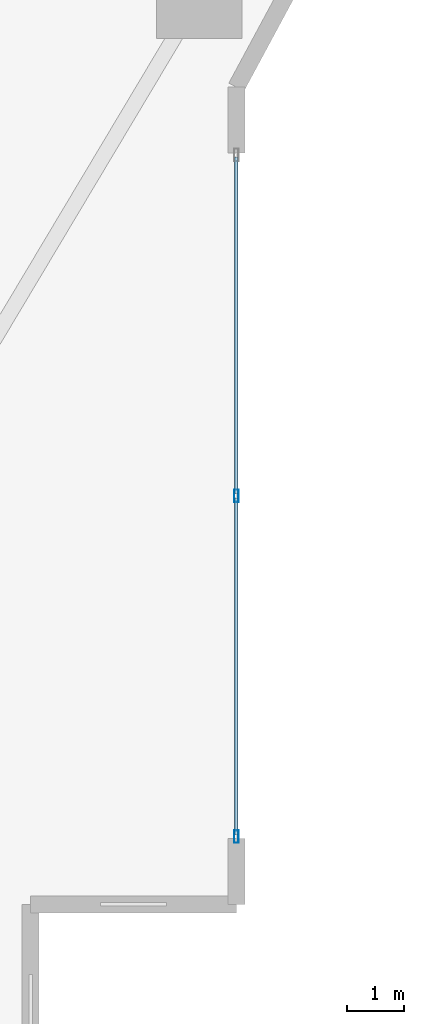
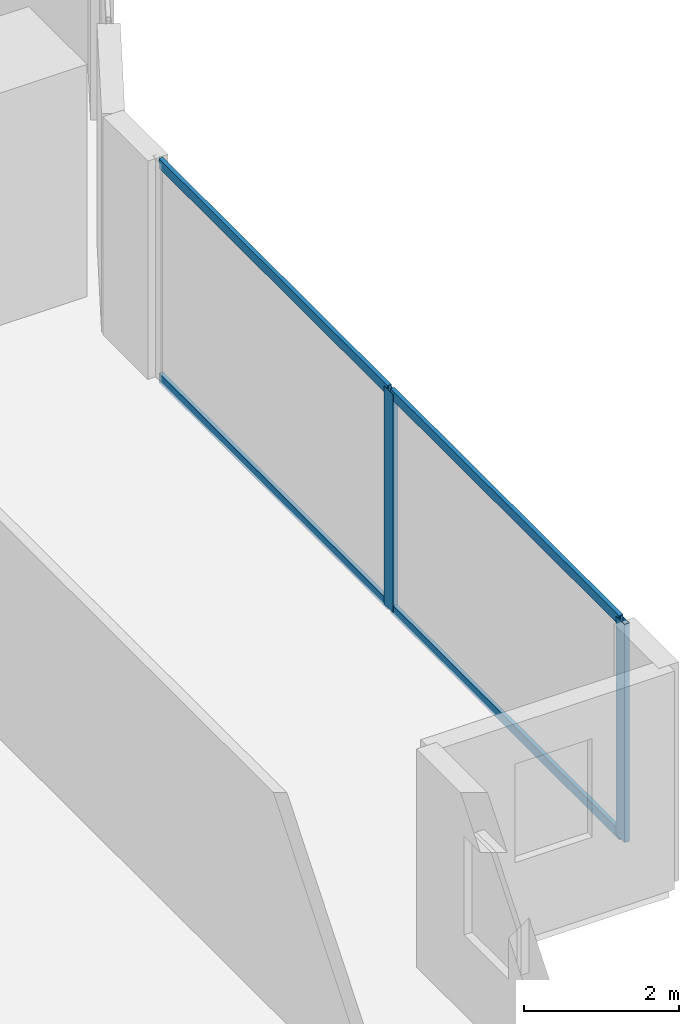
# One storey, part 10 of 28: 6 members, 1 element without a shape of its own.
"""IFC4 building model written with IfcOpenShell, lengths in metres."""

import ifcopenshell
import ifcopenshell.guid

model = None  # the IFC model being written
_history = None  # IfcOwnerHistory: only IFC2X3 demands one
_inside = {}  # id of a spatial element -> (the spatial element, [elements in it])
_under = {}  # id of a project, library or spatial element -> (it, [spatial elements below it])
_declared = {}  # id of a project -> (the project, [libraries it declares])
_typed = {}  # id of a type object -> (the type object, [elements of that type])
_made_of = {}  # id of a material, layer set ... -> (it, [elements and type objects made of it])


def new_model(schema):
    """Start an empty IFC model of exactly this schema.

    Asked for "IFC4X3", IfcOpenShell would pick the latest addendum, in which some entities
    have other attributes; the version numbers below select the first issue.
    IFC2X3 requires an IfcOwnerHistory on every rooted entity: one is made here for all.
    """
    global model, _history
    if schema == "IFC4X3":
        model = ifcopenshell.file(schema_version=(4, 3, 0, 0))
    else:
        model = ifcopenshell.file(schema=schema)
    _inside.clear()
    _under.clear()
    _declared.clear()
    _typed.clear()
    _made_of.clear()
    _history = None
    if model.schema == "IFC2X3":
        org = make("IfcOrganization", Name="unknown")
        user = make(
            "IfcPersonAndOrganization",
            ThePerson=make("IfcPerson", FamilyName="unknown"),
            TheOrganization=org,
        )
        app = make(
            "IfcApplication",
            ApplicationDeveloper=org,
            Version="unknown",
            ApplicationFullName="unknown",
            ApplicationIdentifier="unknown",
        )
        _history = make(
            "IfcOwnerHistory",
            OwningUser=user,
            OwningApplication=app,
            ChangeAction="ADDED",
            CreationDate=0,
        )
    return model


def make(cls, **values):
    """One entity of the class cls with the attributes given. An attribute that is None is left unset."""
    return model.create_entity(
        cls, **{name: value for name, value in values.items() if value is not None}
    )


def rooted(cls, **values):
    """An entity with a GlobalId (a new one), such as an element, a storey or a relation."""
    return make(cls, GlobalId=ifcopenshell.guid.new(), OwnerHistory=_history, **values)


def si_unit(unit_type, name, prefix=None):
    """IfcSIUnit, for example si_unit("LENGTHUNIT", "METRE", prefix="MILLI")."""
    return make("IfcSIUnit", UnitType=unit_type, Prefix=prefix, Name=name)


def assignment(units):
    """IfcUnitAssignment: the units of a project."""
    return None if units is None else make("IfcUnitAssignment", Units=units)


def point(xyz):
    """IfcCartesianPoint."""
    return None if xyz is None else make("IfcCartesianPoint", Coordinates=xyz)


def direction(xyz):
    """IfcDirection."""
    return None if xyz is None else make("IfcDirection", DirectionRatios=xyz)


def frame(location, z_axis=None, x_axis=None):
    """IfcAxis2Placement3D, a coordinate frame: its origin and axes. An axis left out is left unset."""
    return make(
        "IfcAxis2Placement3D",
        Location=point(location),
        Axis=direction(z_axis),
        RefDirection=direction(x_axis),
    )


def frame_2d(location, x_axis=None):
    """IfcAxis2Placement2D, a coordinate frame in the plane: its origin and x axis."""
    return make(
        "IfcAxis2Placement2D", Location=point(location), RefDirection=direction(x_axis)
    )


def origin():
    """The frame at (0, 0, 0) with its axes left unset."""
    return frame((0.0, 0.0, 0.0))


def origin_2d():
    """The frame at (0, 0) in the plane with its x axis left unset."""
    return frame_2d((0.0, 0.0))


def place(relative_to, where):
    """IfcLocalPlacement: puts the frame where relative to a parent placement (None: the world)."""
    return make(
        "IfcLocalPlacement", PlacementRelTo=relative_to, RelativePlacement=where
    )


def context(
    kind, dimensions, precision=None, world=None, true_north=None, identifier=None
):
    """IfcGeometricRepresentationContext, for example the 3D "Model" context."""
    return make(
        "IfcGeometricRepresentationContext",
        ContextIdentifier=identifier,
        ContextType=kind,
        CoordinateSpaceDimension=dimensions,
        Precision=precision,
        WorldCoordinateSystem=world,
        TrueNorth=true_north,
    )


def subcontext(parent, identifier, kind, view, scale=None):
    """IfcGeometricRepresentationSubContext, for example "Body" below "Model"."""
    return make(
        "IfcGeometricRepresentationSubContext",
        ContextIdentifier=identifier,
        ContextType=kind,
        ParentContext=parent,
        TargetScale=scale,
        TargetView=view,
    )


def project(units=None, contexts=None):
    """IfcProject with its units and contexts."""
    return rooted(
        "IfcProject",
        Name="project",
        RepresentationContexts=contexts,
        UnitsInContext=assignment(units),
    )


def spatial(cls, under=None, at=None, **own):
    """A site, building, storey or space (cls), placed at a placement, below another one or the project."""
    s = rooted(cls, ObjectPlacement=at, **own)
    if under is not None:
        _under.setdefault(under.id(), (under, []))[1].append(s)
    return s


def profile(cls, at=None, kind="AREA", **sizes):
    """A parametric profile (cls). Its sizes go by their IFC names, for example OverallWidth=200.0."""
    return make(cls, ProfileType=kind, Position=at, **sizes)


def hollow_rectangle(**sizes):
    """IfcRectangleHollowProfileDef."""
    return profile("IfcRectangleHollowProfileDef", **sizes)


def extrude(swept, where, along, depth):
    """IfcExtrudedAreaSolid: the profile swept, set in the frame where, extruded along a direction by depth."""
    return make(
        "IfcExtrudedAreaSolid",
        SweptArea=swept,
        Position=where,
        ExtrudedDirection=direction(along),
        Depth=depth,
    )


def shape(context_of_items, identifier, shape_type, items):
    """IfcShapeRepresentation: the items that make up one representation, for example the "Body"."""
    return make(
        "IfcShapeRepresentation",
        ContextOfItems=context_of_items,
        RepresentationIdentifier=identifier,
        RepresentationType=shape_type,
        Items=items,
    )


def material(Name=None, Category=None):
    """IfcMaterial."""
    return make("IfcMaterial", Name=Name, Category=Category)


def layer(
    of_material, thickness, ventilated=None, Name=None, Category=None, Priority=None
):
    """IfcMaterialLayer: one layer of a wall or slab, of a material (None: an air gap)."""
    return make(
        "IfcMaterialLayer",
        Material=of_material,
        LayerThickness=thickness,
        IsVentilated=ventilated,
        Name=Name,
        Category=Category,
        Priority=Priority,
    )


def layer_set(layers, Name=None):
    """IfcMaterialLayerSet."""
    return make("IfcMaterialLayerSet", MaterialLayers=layers, LayerSetName=Name)


def material_profile(
    of_material, cross_section, Name=None, Category=None, Priority=None
):
    """IfcMaterialProfile: a cross section and its material."""
    return make(
        "IfcMaterialProfile",
        Name=Name,
        Material=of_material,
        Profile=cross_section,
        Priority=Priority,
        Category=Category,
    )


def profile_set(profiles, Name=None, composite=None):
    """IfcMaterialProfileSet."""
    return make(
        "IfcMaterialProfileSet",
        Name=Name,
        MaterialProfiles=profiles,
        CompositeProfile=composite,
    )


def made_of(thing, what):
    """Note that an element or type object is made of a material, layer set ...; save() writes the relation."""
    if what is not None:
        _made_of.setdefault(what.id(), (what, []))[1].append(thing)
    return thing


def type_object(cls, material=None, **own):
    """A type object (cls), such as IfcWallType, which elements share."""
    return made_of(rooted(cls, **own), material)


def element(
    cls,
    number,
    at=None,
    inside=None,
    cuts=None,
    type_object=None,
    material=None,
    context=None,
    identifier="Body",
    shape_type=None,
    held_by="IfcProductDefinitionShape",
    body=None,
    shapes=None,
    **own,
):
    """One element of the class cls, such as IfcWall. Its Tag is "e" and its number.

    at: its placement. inside: the storey or other place that contains it. cuts: it is an
    opening in that element (IfcRelVoidsElement). A single representation is given by context,
    identifier, shape_type and body (its items); several are given by shapes. held_by: the class
    of the entity that holds the representations. save() writes the other relations.
    """
    e = rooted(cls, Tag="e%d" % number, ObjectPlacement=at, **own)
    if body is not None:
        shapes = [shape(context, identifier, shape_type, body)]
    if shapes is not None:
        e.Representation = make(held_by, Representations=shapes)
    if inside is not None:
        _inside.setdefault(inside.id(), (inside, []))[1].append(e)
    if cuts is not None:
        rooted(
            "IfcRelVoidsElement", RelatingBuildingElement=cuts, RelatedOpeningElement=e
        )
    if type_object is not None:
        _typed.setdefault(type_object.id(), (type_object, []))[1].append(e)
    return made_of(e, material)


def aggregate(whole, parts):
    """IfcRelAggregates: a whole, such as a stair, and the parts it consists of."""
    return rooted("IfcRelAggregates", RelatingObject=whole, RelatedObjects=parts)


def save(model, path):
    """Write the relations noted so far, then the file.

    IfcRelAggregates (storeys below a building ...), IfcRelContainedInSpatialStructure (elements
    in a storey), IfcRelDefinesByType, IfcRelAssociatesMaterial and IfcRelDeclares: one each for
    every whole, place, type object, material and project.
    """
    for whole, parts in _under.values():
        aggregate(whole, parts)
    for where, things in _inside.values():
        rooted(
            "IfcRelContainedInSpatialStructure",
            RelatedElements=things,
            RelatingStructure=where,
        )
    for kind, things in _typed.values():
        rooted("IfcRelDefinesByType", RelatedObjects=things, RelatingType=kind)
    for what, things in _made_of.values():
        rooted("IfcRelAssociatesMaterial", RelatedObjects=things, RelatingMaterial=what)
    for by, libraries in _declared.values():
        rooted("IfcRelDeclares", RelatingContext=by, RelatedDefinitions=libraries)
    model.write(path)


model = new_model("IFC4")

# Units and contexts
model_context = context("Model", 3, precision=1e-05, world=origin(), true_north=direction((0.0, 1.0)))
body_context = subcontext(model_context, "Body", "Model", "MODEL_VIEW")
ifc_project = project(units=[si_unit("LENGTHUNIT", "METRE"), si_unit("AREAUNIT", "SQUARE_METRE"), si_unit("VOLUMEUNIT", "CUBIC_METRE"), si_unit("PLANEANGLEUNIT", "RADIAN"), si_unit("MASSUNIT", "GRAM", prefix="KILO")], contexts=[model_context])

# Site, building, storey
site_placement = place(None, origin())
site = spatial("IfcSite", under=ifc_project, at=site_placement, CompositionType="ELEMENT")
building_placement = place(site_placement, origin())
building = spatial("IfcBuilding", under=site, at=building_placement, Name="Zuhayl Quay Hotel", CompositionType="ELEMENT")
storey_placement = place(building_placement, frame((0.0, 0.0, 31.25)))
storey = spatial("IfcBuildingStorey", under=building, at=storey_placement, Name="L06", CompositionType="ELEMENT", Elevation=31.25)

# Curtain wall, members
ifc_material_1 = material(Name="Anodised Aluminium 6063-T6", Category="aluminium")
ifc_layer = layer(ifc_material_1, 0.18994140625, Name="Anodised Aluminium 6063-T6", Category="aluminium")
ifc_layer_set = layer_set([ifc_layer], Name="Anodised Aluminium 6063-T6")
curtain_wall_type = type_object("IfcCurtainWallType", Name="CW_SYS_Z1", PredefinedType="USERDEFINED", material=ifc_layer_set)
curtain_wall_placement = place(storey_placement, origin())
curtain_wall = element("IfcCurtainWall", 1, at=curtain_wall_placement, inside=storey, type_object=curtain_wall_type, Name="L06 Curtain Wall ENV_L06_E14_CW1", ObjectType="UNITISED CURTAIN WALL", PredefinedType="USERDEFINED")
ifc_material_2 = material(Name="Black-anodised aluminium 6063-T6", Category="aluminium")
ifc_material_profile_1 = material_profile(ifc_material_2, hollow_rectangle(XDim=0.074951171875, YDim=0.219970703125, WallThickness=0.00390625, at=origin_2d()), Name="ALU220X75")
ifc_profile_set_1 = profile_set([ifc_material_profile_1], Name="Black-anodised aluminium 6063-T6")
member_type_1 = type_object("IfcMemberType", Name="MB_CW_MUL_220", PredefinedType="MULLION", material=ifc_profile_set_1)
member_1_placement = place(storey_placement, frame((25.699951171875, -12.35009765625, 0.0), z_axis=(0.0, 0.0, 1.0), x_axis=(1.0, 0.0, 0.0)))
member_1 = element("IfcMember", 2, at=member_1_placement, type_object=member_type_1, Name="CW-Z1 mullion 2", PredefinedType="MULLION", context=body_context, shape_type="SweptSolid", body=[
    extrude(hollow_rectangle(XDim=0.074951171875, YDim=0.219970703125, WallThickness=0.00390625, at=origin_2d()), origin(), (0.0, 0.0, 1.0), 3.429931640625),
])
member_2_placement = place(storey_placement, frame((25.699951171875, -18.3125, 0.0), z_axis=(0.0, 0.0, 1.0), x_axis=(1.0, 0.0, 0.0)))
member_2 = element("IfcMember", 3, at=member_2_placement, type_object=member_type_1, Name="CW-Z1 mullion 3", PredefinedType="MULLION", context=body_context, shape_type="SweptSolid", body=[
    extrude(hollow_rectangle(XDim=0.074951171875, YDim=0.219970703125, WallThickness=0.00390625, at=origin_2d()), origin(), (0.0, 0.0, 1.0), 3.429931640625),
])
ifc_material_profile_2 = material_profile(ifc_material_2, hollow_rectangle(XDim=0.06005859375, YDim=0.14990234375, WallThickness=0.00341796875, at=origin_2d()), Name="ALU150X60")
ifc_profile_set_2 = profile_set([ifc_material_profile_2], Name="Black-anodised aluminium 6063-T6")
member_type_2 = type_object("IfcMemberType", Name="MB_CW_TRN_150", PredefinedType="USERDEFINED", material=ifc_profile_set_2)
member_3_placement = place(storey_placement, frame((25.699951171875, -6.425048828125, 0.030029296875), z_axis=(0.0, -1.0, 0.0), x_axis=(1.0, 0.0, 0.0)))
member_3 = element("IfcMember", 4, at=member_3_placement, type_object=member_type_2, Name="CW-Z1 transom 1.1", ObjectType="TRANSOM", PredefinedType="USERDEFINED", context=body_context, shape_type="SweptSolid", body=[
    extrude(hollow_rectangle(XDim=0.06005859375, YDim=0.14990234375, WallThickness=0.00341796875, at=origin_2d()), origin(), (0.0, 0.0, 1.0), 5.887451171875),
])
member_4_placement = place(storey_placement, frame((25.699951171875, -6.425048828125, 3.39990234375), z_axis=(0.0, -1.0, 0.0), x_axis=(1.0, 0.0, 0.0)))
member_4 = element("IfcMember", 5, at=member_4_placement, type_object=member_type_2, Name="CW-Z1 transom 1.2", ObjectType="TRANSOM", PredefinedType="USERDEFINED", context=body_context, shape_type="SweptSolid", body=[
    extrude(hollow_rectangle(XDim=0.06005859375, YDim=0.14990234375, WallThickness=0.00341796875, at=origin_2d()), origin(), (0.0, 0.0, 1.0), 5.887451171875),
])
member_5_placement = place(storey_placement, frame((25.699951171875, -12.387451171875, 0.030029296875), z_axis=(0.0, -1.0, 0.0), x_axis=(1.0, 0.0, 0.0)))
member_5 = element("IfcMember", 6, at=member_5_placement, type_object=member_type_2, Name="CW-Z1 transom 2.1", ObjectType="TRANSOM", PredefinedType="USERDEFINED", context=body_context, shape_type="SweptSolid", body=[
    extrude(hollow_rectangle(XDim=0.06005859375, YDim=0.14990234375, WallThickness=0.00341796875, at=origin_2d()), origin(), (0.0, 0.0, 1.0), 5.887451171875),
])
member_6_placement = place(storey_placement, frame((25.699951171875, -12.387451171875, 3.39990234375), z_axis=(0.0, -1.0, 0.0), x_axis=(1.0, 0.0, 0.0)))
member_6 = element("IfcMember", 7, at=member_6_placement, type_object=member_type_2, Name="CW-Z1 transom 2.2", ObjectType="TRANSOM", PredefinedType="USERDEFINED", context=body_context, shape_type="SweptSolid", body=[
    extrude(hollow_rectangle(XDim=0.06005859375, YDim=0.14990234375, WallThickness=0.00341796875, at=origin_2d()), origin(), (0.0, 0.0, 1.0), 5.887451171875),
])
aggregate(curtain_wall, [member_1, member_2, member_3, member_4, member_5, member_6])

save(model, "model.ifc")
